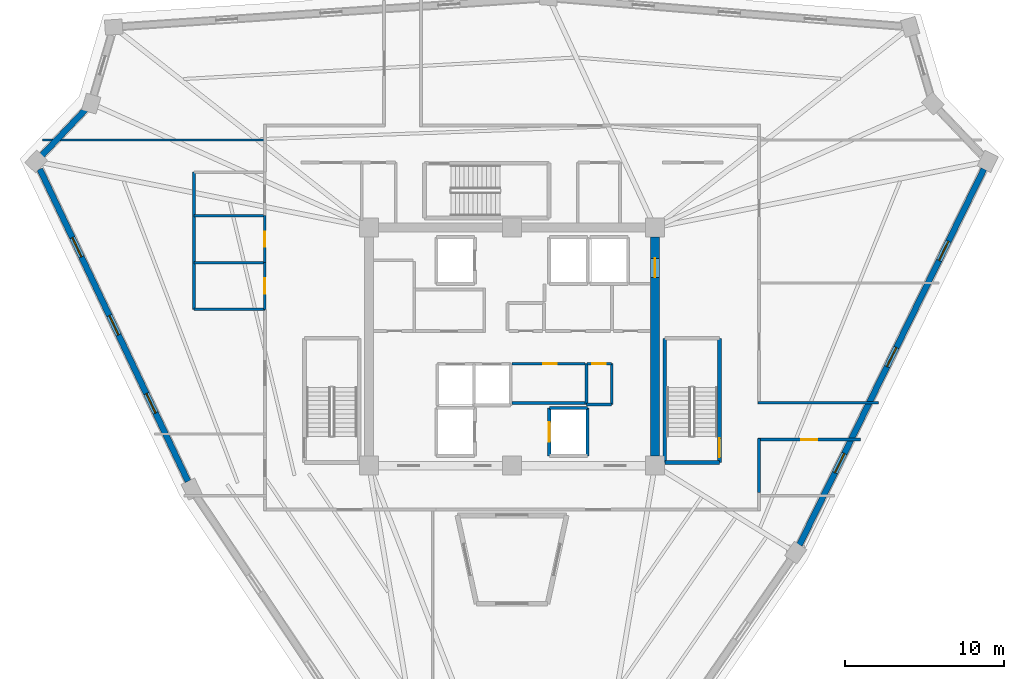
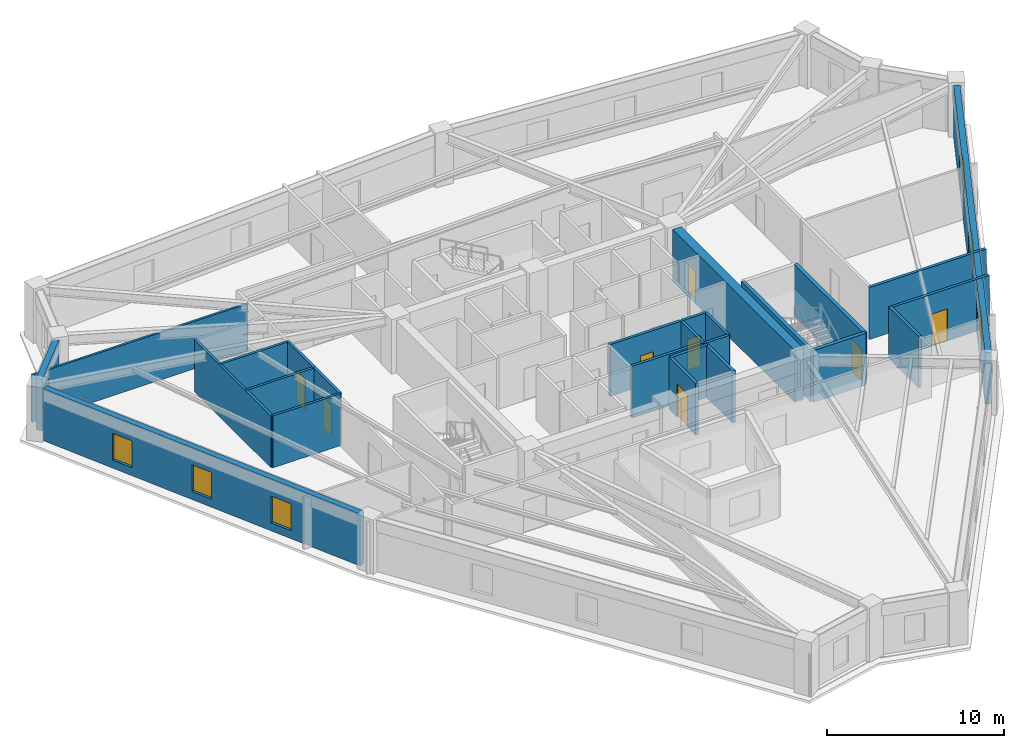
# One storey, part 4 of 10: 26 walls, 8 doors, 6 windows, 14 openings.
"""IFC4 building model written with IfcOpenShell, lengths in metres."""

from ifc_helpers import new_model, si_unit, direction, frame, frame_2d, origin, place, context, subcontext, project, spatial, rectangle, extrude, source, transform, mapped, material, layer, layer_set, type_object, element, fill, save


model = new_model("IFC4")

# Units and contexts
model_context = context("Model", 3, precision=1e-05, world=origin(), true_north=direction((0.0, 1.0)))
body_context = subcontext(model_context, "Body", "Model", "MODEL_VIEW")
ifc_project = project(units=[si_unit("LENGTHUNIT", "METRE"), si_unit("AREAUNIT", "SQUARE_METRE"), si_unit("VOLUMEUNIT", "CUBIC_METRE"), si_unit("PLANEANGLEUNIT", "RADIAN"), si_unit("MASSUNIT", "GRAM", prefix="KILO")], contexts=[model_context])

# Site, building, storey
site_placement = place(None, origin())
site = spatial("IfcSite", under=ifc_project, at=site_placement, CompositionType="ELEMENT")
building_placement = place(site_placement, origin())
building = spatial("IfcBuilding", under=site, at=building_placement, Name="Liaohun Quay Tower", CompositionType="ELEMENT")
storey_placement = place(building_placement, frame((0.0, 0.0, 309.0)))
storey = spatial("IfcBuildingStorey", under=building, at=storey_placement, Name="L80", CompositionType="ELEMENT", Elevation=309.0)

# Wall, opening, door
ifc_material_1 = material(Name="Concrete C50", Category="concrete")
ifc_layer_1 = layer(ifc_material_1, 0.550048828125, Name="Concrete C50", Category="concrete")
ifc_layer_set_1 = layer_set([ifc_layer_1], Name="Concrete C50")
wall_type_1 = type_object("IfcWallType", Name="WAL-COR-Z4", PredefinedType="SHEAR", material=ifc_layer_set_1)
wall_1_placement = place(storey_placement, frame((69.0, 60.89990234375, 0.0), z_axis=(0.0, 0.0, 1.0), x_axis=(0.0, -1.0, 0.0)))
wall_1 = element("IfcWall", 1, at=wall_1_placement, inside=storey, type_object=wall_type_1, Name="L80 Central Core Shear Wall E", PredefinedType="SHEAR", context=body_context, shape_type="SweptSolid", body=[
    extrude(rectangle(XDim=13.7998046875, YDim=0.550048828125, at=frame_2d((6.89990234375, 0.0))), origin(), (0.0, 0.0, 1.0), 3.570068359375),
])
shared_shape_1 = source(origin(), body_context, "Body", "SweptSolid", [
    extrude(rectangle(XDim=1.199951171875, YDim=2.199951171875, at=frame_2d((0.60009765625, 1.10009765625))), frame((0.0, 0.284912109375, 0.0), z_axis=(0.0, -1.0, 0.0), x_axis=(1.0, 0.0, 0.0)), (0.0, 0.0, 1.0), 0.570068359375),
])
opening_1_placement = place(wall_1_placement, frame((1.35009765625, 0.0, 0.0)))
opening_1 = element("IfcOpeningElement", 2, at=opening_1_placement, cuts=wall_1, Name="Opening SD1", PredefinedType="OPENING", context=body_context, shape_type="MappedRepresentation", body=[
    mapped(shared_shape_1, transform((0.0, 0.0, 0.0), x_axis=(1.0, 0.0, 0.0), y_axis=(0.0, 1.0, 0.0), z_axis=(0.0, 0.0, 1.0), scale=1.0)),
])
ifc_material_2 = material(Name="Galvanised steel fire door", Category="steel")
door_type_1 = type_object("IfcDoorType", Name="DOR-STR-1200", OperationType="NOTDEFINED", PredefinedType="DOOR", material=ifc_material_2)
shared_shape_2 = source(origin(), body_context, "Body", "SweptSolid", [
    extrude(rectangle(XDim=1.199951171875, YDim=2.199951171875, at=frame_2d((0.60009765625, 1.10009765625))), frame((0.0, 0.02490234375, 0.0), z_axis=(0.0, -1.0, 0.0), x_axis=(1.0, 0.0, 0.0)), (0.0, 0.0, 1.0), 0.050048828125),
])
door_1_placement = place(opening_1_placement, origin())
door_1 = element("IfcDoor", 3, at=door_1_placement, inside=storey, type_object=door_type_1, Name="L80 North-East Core Lobby Smokeproof Door", OperationType="SINGLE_SWING_LEFT", OverallHeight=2.199951171875, OverallWidth=1.199951171875, PredefinedType="DOOR", context=body_context, shape_type="MappedRepresentation", body=[
    mapped(shared_shape_2, transform((0.0, 0.0, 0.0), x_axis=(1.0, 0.0, 0.0), y_axis=(0.0, 1.0, 0.0), z_axis=(0.0, 0.0, 1.0), scale=1.0)),
])
fill(opening_1, door_1)

# Wall, openings, windows
ifc_material_3 = material(Name="Precast concrete C50 insulated sandwich", Category="concrete")
ifc_layer_2 = layer(ifc_material_3, 0.3798828125, Name="Precast concrete C50 insulated sandwich", Category="concrete")
ifc_layer_set_2 = layer_set([ifc_layer_2], Name="Precast concrete C50 insulated sandwich")
wall_type_2 = type_object("IfcWallType", Name="WAL-EXT-Z34", PredefinedType="SOLIDWALL", material=ifc_layer_set_2)
wall_2_placement = place(storey_placement, frame((78.097900390625, 41.507080078125, 0.0), z_axis=(0.0, 0.0, 1.0), x_axis=(0.440578765421, 0.897713958597, 0.0)))
wall_2 = element("IfcWall", 4, at=wall_2_placement, inside=storey, type_object=wall_type_2, Name="L80 Brutalist Precast Pier Wall 03", PredefinedType="SOLIDWALL", context=body_context, shape_type="SweptSolid", body=[
    extrude(rectangle(XDim=26.36572265625, YDim=0.3798828125, at=frame_2d((13.182861328125, 0.0))), origin(), (0.0, 0.0, 1.0), 3.570068359375),
])
shared_shape_3 = source(origin(), body_context, "Body", "SweptSolid", [
    extrude(rectangle(XDim=1.35009765625, YDim=1.85009765625, at=frame_2d((0.675048828125, 0.925048828125))), frame((0.0, 0.199951171875, 0.0), z_axis=(0.0, -1.0, 0.0), x_axis=(1.0, 0.0, 0.0)), (0.0, 0.0, 1.0), 0.39990234375),
])
opening_2_placement = place(wall_2_placement, frame((5.06591796875, 0.0, 0.550048828125)))
opening_2 = element("IfcOpeningElement", 5, at=opening_2_placement, cuts=wall_2, Name="Opening W04", PredefinedType="OPENING", context=body_context, shape_type="MappedRepresentation", body=[
    mapped(shared_shape_3, transform((0.0, 0.0, 0.0), x_axis=(1.0, 0.0, 0.0), y_axis=(0.0, 1.0, 0.0), z_axis=(0.0, 0.0, 1.0), scale=1.0)),
])
opening_3_placement = place(wall_2_placement, frame((12.508056640625, 0.0, 0.550048828125)))
opening_3 = element("IfcOpeningElement", 6, at=opening_3_placement, cuts=wall_2, Name="Opening W04", PredefinedType="OPENING", context=body_context, shape_type="MappedRepresentation", body=[
    mapped(shared_shape_3, transform((0.0, 0.0, 0.0), x_axis=(1.0, 0.0, 0.0), y_axis=(0.0, 1.0, 0.0), z_axis=(0.0, 0.0, 1.0), scale=1.0)),
])
opening_4_placement = place(wall_2_placement, frame((19.948974609375, 0.0, 0.550048828125)))
opening_4 = element("IfcOpeningElement", 7, at=opening_4_placement, cuts=wall_2, Name="Opening W04", PredefinedType="OPENING", context=body_context, shape_type="MappedRepresentation", body=[
    mapped(shared_shape_3, transform((0.0, 0.0, 0.0), x_axis=(1.0, 0.0, 0.0), y_axis=(0.0, 1.0, 0.0), z_axis=(0.0, 0.0, 1.0), scale=1.0)),
])
ifc_material_4 = material(Name="Triple Low-E argon glazing in thermally broken aluminium", Category="aluminium")
window_type = type_object("IfcWindowType", Name="WIN-PUN-Z4", PartitioningType="SINGLE_PANEL", PredefinedType="WINDOW", material=ifc_material_4)
shared_shape_4 = source(origin(), body_context, "Body", "SweptSolid", [
    extrude(rectangle(XDim=1.35009765625, YDim=1.85009765625, at=frame_2d((0.675048828125, 0.925048828125))), frame((0.0, 0.030029296875, 0.0), z_axis=(0.0, -1.0, 0.0), x_axis=(1.0, 0.0, 0.0)), (0.0, 0.0, 1.0), 0.06005859375),
])
window_1_placement = place(opening_2_placement, origin())
window_1 = element("IfcWindow", 8, at=window_1_placement, inside=storey, type_object=window_type, Name="L80 Recessed Cold-Climate Punched Window 03-1", OverallHeight=1.85009765625, OverallWidth=1.35009765625, PartitioningType="SINGLE_PANEL", PredefinedType="WINDOW", context=body_context, shape_type="MappedRepresentation", body=[
    mapped(shared_shape_4, transform((0.0, 0.0, 0.0), x_axis=(1.0, 0.0, 0.0), y_axis=(0.0, 1.0, 0.0), z_axis=(0.0, 0.0, 1.0), scale=1.0)),
])
fill(opening_2, window_1)
window_2_placement = place(opening_3_placement, origin())
window_2 = element("IfcWindow", 9, at=window_2_placement, inside=storey, type_object=window_type, Name="L80 Recessed Cold-Climate Punched Window 03-2", OverallHeight=1.85009765625, OverallWidth=1.35009765625, PartitioningType="SINGLE_PANEL", PredefinedType="WINDOW", context=body_context, shape_type="MappedRepresentation", body=[
    mapped(shared_shape_4, transform((0.0, 0.0, 0.0), x_axis=(1.0, 0.0, 0.0), y_axis=(0.0, 1.0, 0.0), z_axis=(0.0, 0.0, 1.0), scale=1.0)),
])
fill(opening_3, window_2)
window_3_placement = place(opening_4_placement, origin())
window_3 = element("IfcWindow", 10, at=window_3_placement, inside=storey, type_object=window_type, Name="L80 Recessed Cold-Climate Punched Window 03-3", OverallHeight=1.85009765625, OverallWidth=1.35009765625, PartitioningType="SINGLE_PANEL", PredefinedType="WINDOW", context=body_context, shape_type="MappedRepresentation", body=[
    mapped(shared_shape_4, transform((0.0, 0.0, 0.0), x_axis=(1.0, 0.0, 0.0), y_axis=(0.0, 1.0, 0.0), z_axis=(0.0, 0.0, 1.0), scale=1.0)),
])
fill(opening_4, window_3)

# Wall
wall_3_placement = place(storey_placement, frame((33.135009765625, 68.905029296875, 0.0), z_axis=(0.0, 0.0, 1.0), x_axis=(-0.689384826268, -0.724395307351, 0.0)))
element("IfcWall", 11, at=wall_3_placement, inside=storey, type_object=wall_type_2, Name="L80 Brutalist Precast Pier Wall 09", PredefinedType="SOLIDWALL", context=body_context, shape_type="SweptSolid", body=[
    extrude(rectangle(XDim=3.947021484375, YDim=0.3798828125, at=frame_2d((1.9736328125, 0.0))), origin(), (0.0, 0.0, 1.0), 3.570068359375),
])

# Wall, openings, windows
wall_4_placement = place(storey_placement, frame((30.27294921875, 65.1669921875, 0.0), z_axis=(0.0, 0.0, 1.0), x_axis=(0.428684844901, -0.903454096096, 0.0)))
wall_4 = element("IfcWall", 12, at=wall_4_placement, inside=storey, type_object=wall_type_2, Name="L80 Brutalist Precast Pier Wall 10", PredefinedType="SOLIDWALL", context=body_context, shape_type="SweptSolid", body=[
    extrude(rectangle(XDim=21.757568359375, YDim=0.3798828125, at=frame_2d((10.87890625, 0.0))), origin(), (0.0, 0.0, 1.0), 3.570068359375),
])
opening_5_placement = place(wall_4_placement, frame((4.763916015625, 0.0, 0.550048828125)))
opening_5 = element("IfcOpeningElement", 13, at=opening_5_placement, cuts=wall_4, Name="Opening W04", PredefinedType="OPENING", context=body_context, shape_type="MappedRepresentation", body=[
    mapped(shared_shape_3, transform((0.0, 0.0, 0.0), x_axis=(1.0, 0.0, 0.0), y_axis=(0.0, 1.0, 0.0), z_axis=(0.0, 0.0, 1.0), scale=1.0)),
])
opening_6_placement = place(wall_4_placement, frame((10.2041015625, 0.0, 0.550048828125)))
opening_6 = element("IfcOpeningElement", 14, at=opening_6_placement, cuts=wall_4, Name="Opening W04", PredefinedType="OPENING", context=body_context, shape_type="MappedRepresentation", body=[
    mapped(shared_shape_3, transform((0.0, 0.0, 0.0), x_axis=(1.0, 0.0, 0.0), y_axis=(0.0, 1.0, 0.0), z_axis=(0.0, 0.0, 1.0), scale=1.0)),
])
opening_7_placement = place(wall_4_placement, frame((15.64306640625, 0.0, 0.550048828125)))
opening_7 = element("IfcOpeningElement", 15, at=opening_7_placement, cuts=wall_4, Name="Opening W04", PredefinedType="OPENING", context=body_context, shape_type="MappedRepresentation", body=[
    mapped(shared_shape_3, transform((0.0, 0.0, 0.0), x_axis=(1.0, 0.0, 0.0), y_axis=(0.0, 1.0, 0.0), z_axis=(0.0, 0.0, 1.0), scale=1.0)),
])
window_4_placement = place(opening_5_placement, origin())
window_4 = element("IfcWindow", 16, at=window_4_placement, inside=storey, type_object=window_type, Name="L80 Recessed Cold-Climate Punched Window 10-1", OverallHeight=1.85009765625, OverallWidth=1.35009765625, PartitioningType="SINGLE_PANEL", PredefinedType="WINDOW", context=body_context, shape_type="MappedRepresentation", body=[
    mapped(shared_shape_4, transform((0.0, 0.0, 0.0), x_axis=(1.0, 0.0, 0.0), y_axis=(0.0, 1.0, 0.0), z_axis=(0.0, 0.0, 1.0), scale=1.0)),
])
fill(opening_5, window_4)
window_5_placement = place(opening_6_placement, origin())
window_5 = element("IfcWindow", 17, at=window_5_placement, inside=storey, type_object=window_type, Name="L80 Recessed Cold-Climate Punched Window 10-2", OverallHeight=1.85009765625, OverallWidth=1.35009765625, PartitioningType="SINGLE_PANEL", PredefinedType="WINDOW", context=body_context, shape_type="MappedRepresentation", body=[
    mapped(shared_shape_4, transform((0.0, 0.0, 0.0), x_axis=(1.0, 0.0, 0.0), y_axis=(0.0, 1.0, 0.0), z_axis=(0.0, 0.0, 1.0), scale=1.0)),
])
fill(opening_6, window_5)
window_6_placement = place(opening_7_placement, origin())
window_6 = element("IfcWindow", 18, at=window_6_placement, inside=storey, type_object=window_type, Name="L80 Recessed Cold-Climate Punched Window 10-3", OverallHeight=1.85009765625, OverallWidth=1.35009765625, PartitioningType="SINGLE_PANEL", PredefinedType="WINDOW", context=body_context, shape_type="MappedRepresentation", body=[
    mapped(shared_shape_4, transform((0.0, 0.0, 0.0), x_axis=(1.0, 0.0, 0.0), y_axis=(0.0, 1.0, 0.0), z_axis=(0.0, 0.0, 1.0), scale=1.0)),
])
fill(opening_7, window_6)

# Wall, opening, door
ifc_material_5 = material(Name="Autoclaved aerated concrete blockwork", Category="masonry")
ifc_layer_3 = layer(ifc_material_5, 0.179931640625, Name="Autoclaved aerated concrete blockwork", Category="masonry")
ifc_layer_set_3 = layer_set([ifc_layer_3], Name="Autoclaved aerated concrete blockwork")
wall_type_3 = type_object("IfcWallType", Name="WAL-PRT-COR", PredefinedType="PARTITIONING", material=ifc_layer_set_3)
wall_5_placement = place(storey_placement, frame((60.0, 52.919921875, 0.0), z_axis=(0.0, 0.0, 1.0), x_axis=(1.0, 0.0, 0.0)))
wall_5 = element("IfcWall", 19, at=wall_5_placement, inside=storey, type_object=wall_type_3, Name="L80 Interior Partition Wall 001", PredefinedType="PARTITIONING", context=body_context, shape_type="SweptSolid", body=[
    extrude(rectangle(XDim=4.60009765625, YDim=0.179931640625, at=frame_2d((2.300048828125, 0.0))), origin(), (0.0, 0.0, 1.0), 3.570068359375),
])
shared_shape_5 = source(origin(), body_context, "Body", "SweptSolid", [
    extrude(rectangle(XDim=0.85009765625, YDim=2.10009765625, at=frame_2d((0.425048828125, 1.050048828125))), frame((0.0, 0.099853515625, 0.0), z_axis=(0.0, -1.0, 0.0), x_axis=(1.0, 0.0, 0.0)), (0.0, 0.0, 1.0), 0.199951171875),
])
opening_8_placement = place(wall_5_placement, frame((1.97509765625, 0.0, 0.0)))
opening_8 = element("IfcOpeningElement", 20, at=opening_8_placement, cuts=wall_5, Name="Opening AD1", PredefinedType="OPENING", context=body_context, shape_type="MappedRepresentation", body=[
    mapped(shared_shape_5, transform((0.0, 0.0, 0.0), x_axis=(1.0, 0.0, 0.0), y_axis=(0.0, 1.0, 0.0), z_axis=(0.0, 0.0, 1.0), scale=1.0)),
])
ifc_material_6 = material(Name="Steel riser inspection fire door", Category="steel")
door_type_2 = type_object("IfcDoorType", Name="DOR-SHF-850", OperationType="NOTDEFINED", PredefinedType="DOOR", material=ifc_material_6)
shared_shape_6 = source(origin(), body_context, "Body", "SweptSolid", [
    extrude(rectangle(XDim=0.85009765625, YDim=2.10009765625, at=frame_2d((0.425048828125, 1.050048828125))), frame((0.0, 0.02490234375, 0.0), z_axis=(0.0, -1.0, 0.0), x_axis=(1.0, 0.0, 0.0)), (0.0, 0.0, 1.0), 0.050048828125),
])
door_2_placement = place(opening_8_placement, origin())
door_2 = element("IfcDoor", 21, at=door_2_placement, inside=storey, type_object=door_type_2, Name="L80 Core High-Zone BMS and Switch Room Door", OperationType="SINGLE_SWING_LEFT", OverallHeight=2.10009765625, OverallWidth=0.85009765625, PredefinedType="DOOR", context=body_context, shape_type="MappedRepresentation", body=[
    mapped(shared_shape_6, transform((0.0, 0.0, 0.0), x_axis=(1.0, 0.0, 0.0), y_axis=(0.0, 1.0, 0.0), z_axis=(0.0, 0.0, 1.0), scale=1.0)),
])
fill(opening_8, door_2)

wall_6_placement = place(storey_placement, frame((64.719970703125, 52.919921875, 0.0), z_axis=(0.0, 0.0, 1.0), x_axis=(1.0, 0.0, 0.0)))
wall_6 = element("IfcWall", 22, at=wall_6_placement, inside=storey, type_object=wall_type_3, Name="L80 Interior Partition Wall 007", PredefinedType="PARTITIONING", context=body_context, shape_type="SweptSolid", body=[
    extrude(rectangle(XDim=1.530029296875, YDim=0.179931640625, at=frame_2d((0.76513671875, 0.0))), origin(), (0.0, 0.0, 1.0), 3.570068359375),
])
opening_9_placement = place(wall_6_placement, frame((0.340087890625, 0.0, 0.0)))
opening_9 = element("IfcOpeningElement", 23, at=opening_9_placement, cuts=wall_6, Name="Opening AD1", PredefinedType="OPENING", context=body_context, shape_type="MappedRepresentation", body=[
    mapped(shared_shape_5, transform((0.0, 0.0, 0.0), x_axis=(1.0, 0.0, 0.0), y_axis=(0.0, 1.0, 0.0), z_axis=(0.0, 0.0, 1.0), scale=1.0)),
])
door_3_placement = place(opening_9_placement, origin())
door_3 = element("IfcDoor", 24, at=door_3_placement, inside=storey, type_object=door_type_2, Name="L80 BMS Data Riser Room Door", OperationType="SINGLE_SWING_LEFT", OverallHeight=2.10009765625, OverallWidth=0.85009765625, PredefinedType="DOOR", context=body_context, shape_type="MappedRepresentation", body=[
    mapped(shared_shape_6, transform((0.0, 0.0, 0.0), x_axis=(1.0, 0.0, 0.0), y_axis=(0.0, 1.0, 0.0), z_axis=(0.0, 0.0, 1.0), scale=1.0)),
])
fill(opening_9, door_3)

wall_7_placement = place(storey_placement, frame((81.947021484375, 48.139892578125, 0.0), z_axis=(0.0, 0.0, 1.0), x_axis=(-1.0, 0.0, 0.0)))
wall_7 = element("IfcWall", 25, at=wall_7_placement, inside=storey, type_object=wall_type_3, Name="L80 Interior Partition Wall 023", PredefinedType="PARTITIONING", context=body_context, shape_type="SweptSolid", body=[
    extrude(rectangle(XDim=6.45703125, YDim=0.179931640625, at=frame_2d((3.228515625, 0.0))), origin(), (0.0, 0.0, 1.0), 3.570068359375),
])
shared_shape_7 = source(origin(), body_context, "Body", "SweptSolid", [
    extrude(rectangle(XDim=1.0, YDim=2.199951171875, at=frame_2d((0.5, 1.10009765625))), frame((0.0, 0.099853515625, 0.0), z_axis=(0.0, -1.0, 0.0), x_axis=(1.0, 0.0, 0.0)), (0.0, 0.0, 1.0), 0.199951171875),
])
opening_10_placement = place(wall_7_placement, frame((2.72900390625, 0.0, 0.0)))
opening_10 = element("IfcOpeningElement", 26, at=opening_10_placement, cuts=wall_7, Name="Opening OD1", PredefinedType="OPENING", context=body_context, shape_type="MappedRepresentation", body=[
    mapped(shared_shape_7, transform((0.0, 0.0, 0.0), x_axis=(1.0, 0.0, 0.0), y_axis=(0.0, 1.0, 0.0), z_axis=(0.0, 0.0, 1.0), scale=1.0)),
])
ifc_material_7 = material(Name="Solid-core oak veneer timber leaf in steel frame", Category="steel")
door_type_3 = type_object("IfcDoorType", Name="DOR-OFF-1000", OperationType="NOTDEFINED", PredefinedType="DOOR", material=ifc_material_7)
shared_shape_8 = source(origin(), body_context, "Body", "SweptSolid", [
    extrude(rectangle(XDim=1.0, YDim=2.199951171875, at=frame_2d((0.5, 1.10009765625))), frame((0.0, 0.02490234375, 0.0), z_axis=(0.0, -1.0, 0.0), x_axis=(1.0, 0.0, 0.0)), (0.0, 0.0, 1.0), 0.050048828125),
])
door_4_placement = place(opening_10_placement, origin())
door_4 = element("IfcDoor", 27, at=door_4_placement, inside=storey, type_object=door_type_3, Name="L80 Records Archive Store 09 Door", OperationType="SINGLE_SWING_LEFT", OverallHeight=2.199951171875, OverallWidth=1.0, PredefinedType="DOOR", context=body_context, shape_type="MappedRepresentation", body=[
    mapped(shared_shape_8, transform((0.0, 0.0, 0.0), x_axis=(1.0, 0.0, 0.0), y_axis=(0.0, 1.0, 0.0), z_axis=(0.0, 0.0, 1.0), scale=1.0)),
])
fill(opening_10, door_4)

# Walls
wall_8_placement = place(storey_placement, frame((64.68994140625, 50.35009765625, 0.0), z_axis=(0.0, 0.0, 1.0), x_axis=(0.0, 1.0, 0.0)))
element("IfcWall", 28, at=wall_8_placement, inside=storey, type_object=wall_type_3, Name="L80 Interior Partition Wall 029", PredefinedType="PARTITIONING", context=body_context, shape_type="SweptSolid", body=[
    extrude(rectangle(XDim=2.56982421875, YDim=0.179931640625, at=frame_2d((1.284912109375, 0.0))), origin(), (0.0, 0.0, 1.0), 3.570068359375),
])
wall_9_placement = place(storey_placement, frame((64.68994140625, 50.35009765625, 0.0), z_axis=(0.0, 0.0, 1.0), x_axis=(1.0, 0.0, 0.0)))
element("IfcWall", 29, at=wall_9_placement, inside=storey, type_object=wall_type_3, Name="L80 Interior Partition Wall 030", PredefinedType="PARTITIONING", context=body_context, shape_type="SweptSolid", body=[
    extrude(rectangle(XDim=1.590087890625, YDim=0.179931640625, at=frame_2d((0.794921875, 0.0))), origin(), (0.0, 0.0, 1.0), 3.570068359375),
])
wall_10_placement = place(storey_placement, frame((66.280029296875, 50.35009765625, 0.0), z_axis=(0.0, 0.0, 1.0), x_axis=(0.0, 1.0, 0.0)))
element("IfcWall", 30, at=wall_10_placement, inside=storey, type_object=wall_type_3, Name="L80 Interior Partition Wall 031", PredefinedType="PARTITIONING", context=body_context, shape_type="SweptSolid", body=[
    extrude(rectangle(XDim=2.56982421875, YDim=0.179931640625, at=frame_2d((1.284912109375, 0.0))), origin(), (0.0, 0.0, 1.0), 3.570068359375),
])
wall_11_placement = place(storey_placement, frame((75.489990234375, 50.4599609375, 0.0), z_axis=(0.0, 0.0, 1.0), x_axis=(1.0, 0.0, 0.0)))
element("IfcWall", 31, at=wall_11_placement, inside=storey, type_object=wall_type_3, Name="L80 Interior Partition Wall 041", PredefinedType="PARTITIONING", context=body_context, shape_type="SweptSolid", body=[
    extrude(rectangle(XDim=7.594970703125, YDim=0.179931640625, at=frame_2d((3.79736328125, 0.0))), origin(), (0.0, 0.0, 1.0), 3.570068359375),
])
wall_12_placement = place(storey_placement, frame((75.56005859375, 48.2099609375, 0.0), z_axis=(0.0, 0.0, 1.0), x_axis=(0.0, -1.0, 0.0)))
element("IfcWall", 32, at=wall_12_placement, inside=storey, type_object=wall_type_3, Name="L80 Interior Partition Wall 049", PredefinedType="PARTITIONING", context=body_context, shape_type="SweptSolid", body=[
    extrude(rectangle(XDim=3.39501953125, YDim=0.179931640625, at=frame_2d((1.697509765625, 0.0))), origin(), (0.0, 0.0, 1.0), 3.570068359375),
])
wall_13_placement = place(storey_placement, frame((60.0, 50.449951171875, 0.0), z_axis=(0.0, 0.0, 1.0), x_axis=(1.0, 0.0, 0.0)))
element("IfcWall", 33, at=wall_13_placement, inside=storey, type_object=wall_type_3, Name="L80 Interior Partition Wall 057", PredefinedType="PARTITIONING", context=body_context, shape_type="SweptSolid", body=[
    extrude(rectangle(XDim=4.60009765625, YDim=0.179931640625, at=frame_2d((2.300048828125, 0.0))), origin(), (0.0, 0.0, 1.0), 3.570068359375),
])
ifc_material_8 = material(Name="Gypsum board on twin steel studs", Category="steel")
ifc_layer_4 = layer(ifc_material_8, 0.139892578125, Name="Gypsum board on twin steel studs", Category="steel")
ifc_layer_set_4 = layer_set([ifc_layer_4], Name="Gypsum board on twin steel studs")
wall_type_4 = type_object("IfcWallType", Name="WAL-PRT-OFF", PredefinedType="PARTITIONING", material=ifc_layer_set_4)
wall_14_placement = place(storey_placement, frame((44.5400390625, 67.0, 0.0), z_axis=(0.0, 0.0, 1.0), x_axis=(-1.0, 0.0, 0.0)))
element("IfcWall", 34, at=wall_14_placement, inside=storey, type_object=wall_type_4, Name="L80 Interior Partition Wall 052", PredefinedType="PARTITIONING", context=body_context, shape_type="SweptSolid", body=[
    extrude(rectangle(XDim=14.087158203125, YDim=0.139892578125, at=frame_2d((7.04345703125, 0.0))), origin(), (0.0, 0.0, 1.0), 3.260986328125),
])

# Wall, opening, door
ifc_material_9 = material(Name="Moisture-resistant masonry blockwork", Category="masonry")
ifc_layer_5 = layer(ifc_material_9, 0.159912109375, Name="Moisture-resistant masonry blockwork", Category="masonry")
ifc_layer_set_5 = layer_set([ifc_layer_5], Name="Moisture-resistant masonry blockwork")
wall_type_5 = type_object("IfcWallType", Name="WAL-PRT-WET", PredefinedType="PARTITIONING", material=ifc_layer_set_5)
wall_15_placement = place(storey_placement, frame((44.43994140625, 56.340087890625, 0.0), z_axis=(0.0, 0.0, 1.0), x_axis=(0.0, 1.0, 0.0)))
wall_15 = element("IfcWall", 35, at=wall_15_placement, inside=storey, type_object=wall_type_5, Name="L80 Interior Partition Wall 008", PredefinedType="PARTITIONING", context=body_context, shape_type="SweptSolid", body=[
    extrude(rectangle(XDim=2.93994140625, YDim=0.159912109375, at=frame_2d((1.469970703125, 0.0))), origin(), (0.0, 0.0, 1.0), 3.570068359375),
])
shared_shape_9 = source(origin(), body_context, "Body", "SweptSolid", [
    extrude(rectangle(XDim=0.949951171875, YDim=2.14990234375, at=frame_2d((0.47509765625, 1.074951171875))), frame((0.0, 0.08984375, 0.0), z_axis=(0.0, -1.0, 0.0), x_axis=(1.0, 0.0, 0.0)), (0.0, 0.0, 1.0), 0.179931640625),
])
opening_11_placement = place(wall_15_placement, frame((0.9951171875, 0.0, 0.0)))
opening_11 = element("IfcOpeningElement", 36, at=opening_11_placement, cuts=wall_15, Name="Opening WD1", PredefinedType="OPENING", context=body_context, shape_type="MappedRepresentation", body=[
    mapped(shared_shape_9, transform((0.0, 0.0, 0.0), x_axis=(1.0, 0.0, 0.0), y_axis=(0.0, 1.0, 0.0), z_axis=(0.0, 0.0, 1.0), scale=1.0)),
])
ifc_material_10 = material(Name="Moisture-resistant laminate timber leaf", Category="wood")
door_type_4 = type_object("IfcDoorType", Name="DOR-WC-950", OperationType="NOTDEFINED", PredefinedType="DOOR", material=ifc_material_10)
shared_shape_10 = source(origin(), body_context, "Body", "SweptSolid", [
    extrude(rectangle(XDim=0.949951171875, YDim=2.14990234375, at=frame_2d((0.47509765625, 1.074951171875))), frame((0.0, 0.02490234375, 0.0), z_axis=(0.0, -1.0, 0.0), x_axis=(1.0, 0.0, 0.0)), (0.0, 0.0, 1.0), 0.050048828125),
])
door_5_placement = place(opening_11_placement, origin())
door_5 = element("IfcDoor", 37, at=door_5_placement, inside=storey, type_object=door_type_4, Name="L80 Male Restroom WC Door", OperationType="SINGLE_SWING_RIGHT", OverallHeight=2.14990234375, OverallWidth=0.949951171875, PredefinedType="DOOR", context=body_context, shape_type="MappedRepresentation", body=[
    mapped(shared_shape_10, transform((0.0, 0.0, 0.0), x_axis=(1.0, 0.0, 0.0), y_axis=(0.0, 1.0, 0.0), z_axis=(0.0, 0.0, 1.0), scale=1.0)),
])
fill(opening_11, door_5)

wall_16_placement = place(storey_placement, frame((44.43994140625, 59.280029296875, 0.0), z_axis=(0.0, 0.0, 1.0), x_axis=(0.0, 1.0, 0.0)))
wall_16 = element("IfcWall", 38, at=wall_16_placement, inside=storey, type_object=wall_type_5, Name="L80 Interior Partition Wall 009", PredefinedType="PARTITIONING", context=body_context, shape_type="SweptSolid", body=[
    extrude(rectangle(XDim=2.9599609375, YDim=0.159912109375, at=frame_2d((1.47998046875, 0.0))), origin(), (0.0, 0.0, 1.0), 3.570068359375),
])
opening_12_placement = place(wall_16_placement, frame((1.0048828125, 0.0, 0.0)))
opening_12 = element("IfcOpeningElement", 39, at=opening_12_placement, cuts=wall_16, Name="Opening WD1", PredefinedType="OPENING", context=body_context, shape_type="MappedRepresentation", body=[
    mapped(shared_shape_9, transform((0.0, 0.0, 0.0), x_axis=(1.0, 0.0, 0.0), y_axis=(0.0, 1.0, 0.0), z_axis=(0.0, 0.0, 1.0), scale=1.0)),
])
door_6_placement = place(opening_12_placement, origin())
door_6 = element("IfcDoor", 40, at=door_6_placement, inside=storey, type_object=door_type_4, Name="L80 Female Restroom WC Door", OperationType="SINGLE_SWING_LEFT", OverallHeight=2.14990234375, OverallWidth=0.949951171875, PredefinedType="DOOR", context=body_context, shape_type="MappedRepresentation", body=[
    mapped(shared_shape_10, transform((0.0, 0.0, 0.0), x_axis=(1.0, 0.0, 0.0), y_axis=(0.0, 1.0, 0.0), z_axis=(0.0, 0.0, 1.0), scale=1.0)),
])
fill(opening_12, door_6)

# Walls
wall_17_placement = place(storey_placement, frame((39.97998046875, 56.340087890625, 0.0), z_axis=(0.0, 0.0, 1.0), x_axis=(0.0, 1.0, 0.0)))
element("IfcWall", 41, at=wall_17_placement, inside=storey, type_object=wall_type_5, Name="L80 Interior Partition Wall 032", PredefinedType="PARTITIONING", context=body_context, shape_type="SweptSolid", body=[
    extrude(rectangle(XDim=8.639892578125, YDim=0.159912109375, at=frame_2d((4.31982421875, 0.0))), origin(), (0.0, 0.0, 1.0), 3.570068359375),
])
for number, where, z_axis, x_axis, name in (
    (42, (39.97998046875, 56.340087890625, 0.0), (0.0, 0.0, 1.0), (1.0, 0.0, 0.0), "L80 Interior Partition Wall 033"),
    (43, (39.97998046875, 59.280029296875, 0.0), (0.0, 0.0, 1.0), (1.0, 0.0, 0.0), "L80 Interior Partition Wall 034"),
    (44, (39.97998046875, 62.239990234375, 0.0), (0.0, 0.0, 1.0), (1.0, 0.0, 0.0), "L80 Interior Partition Wall 035"),
):
    element("IfcWall", number, at=place(storey_placement, frame(where, z_axis=z_axis, x_axis=x_axis)), inside=storey, type_object=wall_type_5, Name=name, PredefinedType="PARTITIONING", context=body_context, shape_type="SweptSolid", body=[
        extrude(rectangle(XDim=4.4599609375, YDim=0.159912109375, at=frame_2d((2.22998046875, 0.0))), origin(), (0.0, 0.0, 1.0), 3.570068359375),
    ])
ifc_layer_6 = layer(ifc_material_1, 0.239990234375, Name="Concrete C50", Category="concrete")
ifc_layer_set_6 = layer_set([ifc_layer_6], Name="Concrete C50")
wall_type_6 = type_object("IfcWallType", Name="WAL-SHF-200", PredefinedType="SOLIDWALL", material=ifc_layer_set_6)
wall_18_placement = place(storey_placement, frame((69.6201171875, 46.699951171875, 0.0), z_axis=(0.0, 0.0, 1.0), x_axis=(1.0, 0.0, 0.0)))
element("IfcWall", 45, at=wall_18_placement, inside=storey, type_object=wall_type_6, Name="L80 Stairwell ST-2 Structural Core Wall S", PredefinedType="SOLIDWALL", context=body_context, shape_type="SweptSolid", body=[
    extrude(rectangle(XDim=3.43994140625, YDim=0.239990234375, at=frame_2d((1.719970703125, 0.0))), origin(), (0.0, 0.0, 1.0), 3.570068359375),
])

# Wall, opening, door
wall_19_placement = place(storey_placement, frame((73.06005859375, 46.699951171875, 0.0), z_axis=(0.0, 0.0, 1.0), x_axis=(0.0, 1.0, 0.0)))
wall_19 = element("IfcWall", 46, at=wall_19_placement, inside=storey, type_object=wall_type_6, Name="L80 Stairwell ST-2 Structural Core Wall E", PredefinedType="SOLIDWALL", context=body_context, shape_type="SweptSolid", body=[
    extrude(rectangle(XDim=7.820068359375, YDim=0.239990234375, at=frame_2d((3.91015625, 0.0))), origin(), (0.0, 0.0, 1.0), 3.570068359375),
])
shared_shape_11 = source(origin(), body_context, "Body", "SweptSolid", [
    extrude(rectangle(XDim=1.199951171875, YDim=2.199951171875, at=frame_2d((0.60009765625, 1.10009765625))), frame((0.0, 0.1298828125, 0.0), z_axis=(0.0, -1.0, 0.0), x_axis=(1.0, 0.0, 0.0)), (0.0, 0.0, 1.0), 0.260009765625),
])
opening_13_placement = place(wall_19_placement, frame((0.320068359375, 0.0, 0.0)))
opening_13 = element("IfcOpeningElement", 47, at=opening_13_placement, cuts=wall_19, Name="Opening SD1", PredefinedType="OPENING", context=body_context, shape_type="MappedRepresentation", body=[
    mapped(shared_shape_11, transform((0.0, 0.0, 0.0), x_axis=(1.0, 0.0, 0.0), y_axis=(0.0, 1.0, 0.0), z_axis=(0.0, 0.0, 1.0), scale=1.0)),
])
door_7_placement = place(opening_13_placement, origin())
door_7 = element("IfcDoor", 48, at=door_7_placement, inside=storey, type_object=door_type_1, Name="L80 Protected Stair ST-2 Fire Door", OperationType="SINGLE_SWING_RIGHT", OverallHeight=2.199951171875, OverallWidth=1.199951171875, PredefinedType="DOOR", context=body_context, shape_type="MappedRepresentation", body=[
    mapped(shared_shape_2, transform((0.0, 0.0, 0.0), x_axis=(1.0, 0.0, 0.0), y_axis=(0.0, 1.0, 0.0), z_axis=(0.0, 0.0, 1.0), scale=1.0)),
])
fill(opening_13, door_7)

# Walls
wall_20_placement = place(storey_placement, frame((69.6201171875, 54.52001953125, 0.0), z_axis=(0.0, 0.0, 1.0), x_axis=(0.0, -1.0, 0.0)))
element("IfcWall", 49, at=wall_20_placement, inside=storey, type_object=wall_type_6, Name="L80 Stairwell ST-2 Structural Core Wall W", PredefinedType="SOLIDWALL", context=body_context, shape_type="SweptSolid", body=[
    extrude(rectangle(XDim=7.820068359375, YDim=0.239990234375, at=frame_2d((3.91015625, 0.0))), origin(), (0.0, 0.0, 1.0), 3.570068359375),
])
wall_21_placement = place(storey_placement, frame((64.75, 47.1201171875, 0.0), z_axis=(0.0, 0.0, 1.0), x_axis=(0.0, 1.0, 0.0)))
element("IfcWall", 50, at=wall_21_placement, inside=storey, type_object=wall_type_6, Name="L80 Lift FF-02 Hoistway Wall E", PredefinedType="SOLIDWALL", context=body_context, shape_type="SweptSolid", body=[
    extrude(rectangle(XDim=3.0, YDim=0.199951171875, at=frame_2d((1.5, 0.0))), origin(), (0.0, 0.0, 1.0), 3.570068359375),
])
wall_22_placement = place(storey_placement, frame((64.75, 50.1201171875, 0.0), z_axis=(0.0, 0.0, 1.0), x_axis=(-1.0, 0.0, 0.0)))
element("IfcWall", 51, at=wall_22_placement, inside=storey, type_object=wall_type_6, Name="L80 Lift FF-02 Hoistway Wall N", PredefinedType="SOLIDWALL", context=body_context, shape_type="SweptSolid", body=[
    extrude(rectangle(XDim=2.39990234375, YDim=0.199951171875, at=frame_2d((1.199951171875, 0.0))), origin(), (0.0, 0.0, 1.0), 3.570068359375),
])

# Wall, opening, door
wall_23_placement = place(storey_placement, frame((62.35009765625, 50.1201171875, 0.0), z_axis=(0.0, 0.0, 1.0), x_axis=(0.0, -1.0, 0.0)))
wall_23 = element("IfcWall", 52, at=wall_23_placement, inside=storey, type_object=wall_type_6, Name="L80 Lift FF-02 Hoistway Wall W", PredefinedType="SOLIDWALL", context=body_context, shape_type="SweptSolid", body=[
    extrude(rectangle(XDim=3.0, YDim=0.199951171875, at=frame_2d((1.5, 0.0))), origin(), (0.0, 0.0, 1.0), 3.570068359375),
])
shared_shape_12 = source(origin(), body_context, "Body", "SweptSolid", [
    extrude(rectangle(XDim=1.199951171875, YDim=2.300048828125, at=frame_2d((0.60009765625, 1.14990234375))), frame((0.0, 0.10986328125, 0.0), z_axis=(0.0, -1.0, 0.0), x_axis=(1.0, 0.0, 0.0)), (0.0, 0.0, 1.0), 0.219970703125),
])
opening_14_placement = place(wall_23_placement, frame((0.89990234375, 0.0, 0.0)))
opening_14 = element("IfcOpeningElement", 53, at=opening_14_placement, cuts=wall_23, Name="Opening LD2", PredefinedType="OPENING", context=body_context, shape_type="MappedRepresentation", body=[
    mapped(shared_shape_12, transform((0.0, 0.0, 0.0), x_axis=(1.0, 0.0, 0.0), y_axis=(0.0, 1.0, 0.0), z_axis=(0.0, 0.0, 1.0), scale=1.0)),
])
ifc_material_11 = material(Name="Brushed stainless steel stretcher landing door", Category="steel")
door_type_5 = type_object("IfcDoorType", Name="DOR-LFT-1200", OperationType="SLIDING_TO_LEFT", PredefinedType="DOOR", material=ifc_material_11)
shared_shape_13 = source(origin(), body_context, "Body", "SweptSolid", [
    extrude(rectangle(XDim=1.199951171875, YDim=2.300048828125, at=frame_2d((0.60009765625, 1.14990234375))), frame((0.0, 0.02490234375, 0.0), z_axis=(0.0, -1.0, 0.0), x_axis=(1.0, 0.0, 0.0)), (0.0, 0.0, 1.0), 0.050048828125),
])
door_8_placement = place(opening_14_placement, origin())
door_8 = element("IfcDoor", 54, at=door_8_placement, inside=storey, type_object=door_type_5, Name="L80 Lift FF-02 Sliding Landing Door", OperationType="SLIDING_TO_LEFT", OverallHeight=2.300048828125, OverallWidth=1.199951171875, PredefinedType="DOOR", context=body_context, shape_type="MappedRepresentation", body=[
    mapped(shared_shape_13, transform((0.0, 0.0, 0.0), x_axis=(1.0, 0.0, 0.0), y_axis=(0.0, 1.0, 0.0), z_axis=(0.0, 0.0, 1.0), scale=1.0)),
])
fill(opening_14, door_8)

save(model, "model.ifc")
